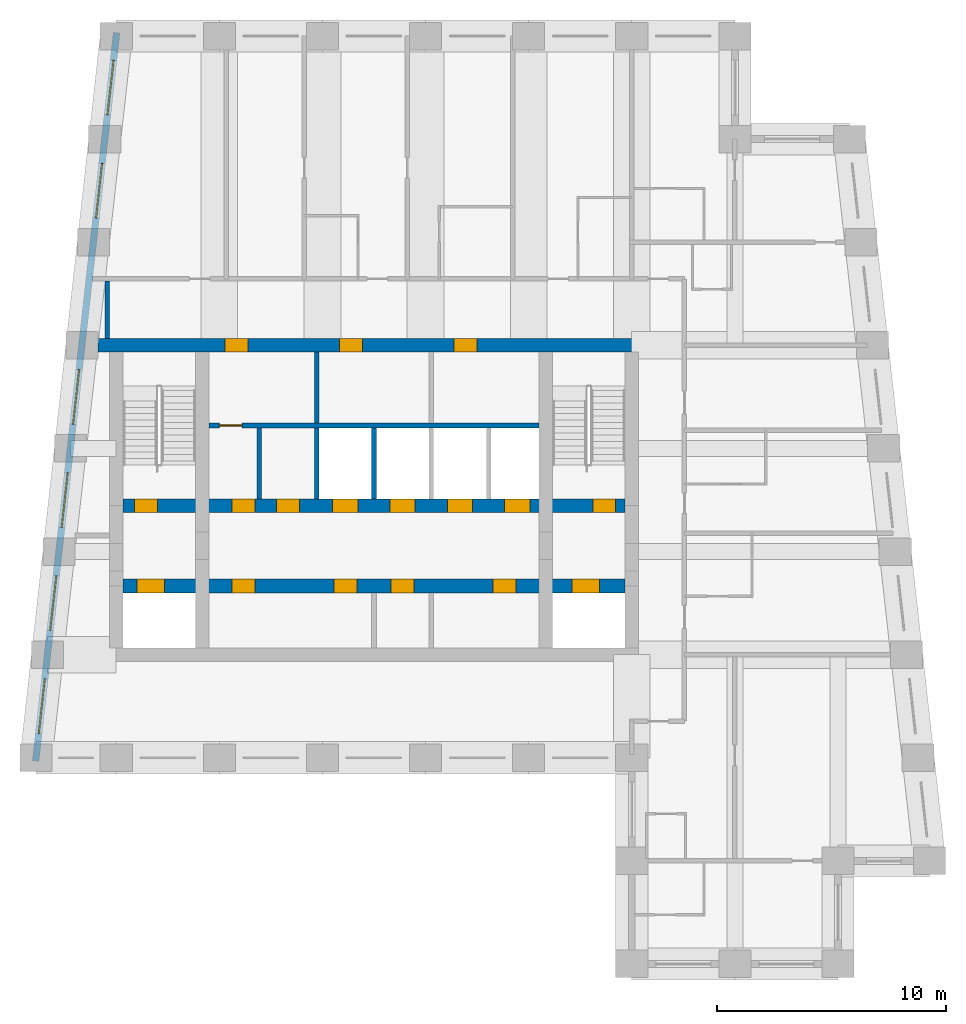
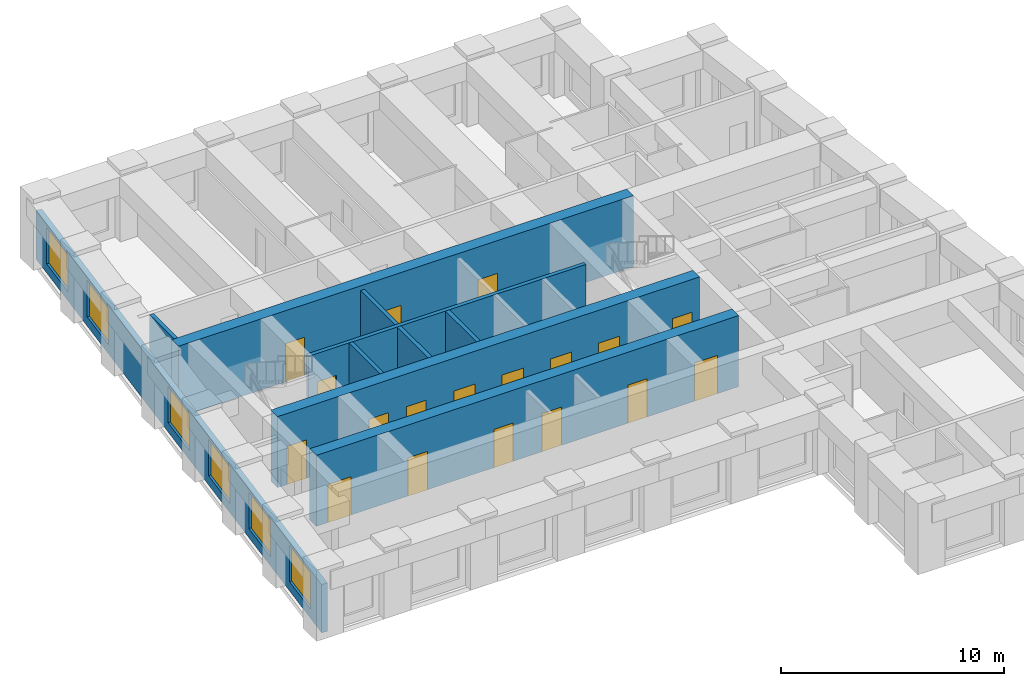
# One storey, part 3 of 7: 18 doors, 10 walls, 6 windows, 24 openings.
"""IFC4 building model written with IfcOpenShell, lengths in metres."""

from ifc_helpers import new_model, si_unit, direction, frame, frame_2d, origin, place, context, subcontext, project, spatial, rectangle, extrude, material, layer, layer_set, type_object, element, fill, save


model = new_model("IFC4")

# Units and contexts
model_context = context("Model", 3, precision=1e-05, world=origin(), true_north=direction((0.0, 1.0)))
body_context = subcontext(model_context, "Body", "Model", "MODEL_VIEW")
ifc_project = project(units=[si_unit("LENGTHUNIT", "METRE"), si_unit("AREAUNIT", "SQUARE_METRE"), si_unit("VOLUMEUNIT", "CUBIC_METRE"), si_unit("PLANEANGLEUNIT", "RADIAN"), si_unit("MASSUNIT", "GRAM", prefix="KILO")], contexts=[model_context])

# Site, building, storey
site_placement = place(None, origin())
site = spatial("IfcSite", under=ifc_project, at=site_placement, CompositionType="ELEMENT")
building_placement = place(site_placement, origin())
building = spatial("IfcBuilding", under=site, at=building_placement, Name="Kilele Tower Hotel", CompositionType="ELEMENT")
storey_placement = place(building_placement, frame((0.0, 0.0, 258.5)))
storey = spatial("IfcBuildingStorey", under=building, at=storey_placement, Name="L66", CompositionType="ELEMENT", Elevation=258.5)

# Wall, openings, doors
ifc_material_1 = material(Name="Concrete C60/75", Category="concrete")
ifc_layer_1 = layer(ifc_material_1, 0.60009765625)
ifc_layer_set_1 = layer_set([ifc_layer_1], Name="Concrete C60/75")
wall_type_1 = type_object("IfcWallType", Name="Core wall 600 C60/75", PredefinedType="SHEAR", material=ifc_layer_set_1)
wall_1_placement = place(storey_placement, frame((36.300048828125, 27.0, 0.0), z_axis=(0.0, 0.0, 1.0), x_axis=(-1.0, 0.0, 0.0)))
wall_1 = element("IfcWall", 1, at=wall_1_placement, inside=storey, type_object=wall_type_1, Name="Core wall N L66", PredefinedType="SHEAR", context=body_context, shape_type="SweptSolid", body=[
    extrude(rectangle(XDim=23.60009765625, YDim=0.60009765625, at=frame_2d((11.800048828125, 0.0))), origin(), (0.0, 0.0, 1.0), 3.89990234375),
])
opening_1_placement = place(wall_1_placement, frame((17.050048828125, 0.0, 0.0)))
opening_1 = element("IfcOpeningElement", 2, at=opening_1_placement, cuts=wall_1, Name="Opening D12", PredefinedType="OPENING", context=body_context, shape_type="SweptSolid", body=[
    extrude(rectangle(XDim=1.0, YDim=2.10009765625, at=frame_2d((0.5, 1.050048828125))), frame((0.0, 0.31005859375, 0.0), z_axis=(0.0, -1.0, 0.0), x_axis=(1.0, 0.0, 0.0)), (0.0, 0.0, 1.0), 0.6201171875),
])
opening_2_placement = place(wall_1_placement, frame((12.050048828125, 0.0, 0.0)))
opening_2 = element("IfcOpeningElement", 3, at=opening_2_placement, cuts=wall_1, Name="Opening D6", PredefinedType="OPENING", context=body_context, shape_type="SweptSolid", body=[
    extrude(rectangle(XDim=1.0, YDim=2.10009765625, at=frame_2d((0.5, 1.050048828125))), frame((0.0, 0.31005859375, 0.0), z_axis=(0.0, -1.0, 0.0), x_axis=(1.0, 0.0, 0.0)), (0.0, 0.0, 1.0), 0.6201171875),
])
opening_3_placement = place(wall_1_placement, frame((7.050048828125, 0.0, 0.0)))
opening_3 = element("IfcOpeningElement", 4, at=opening_3_placement, cuts=wall_1, Name="Opening D6", PredefinedType="OPENING", context=body_context, shape_type="SweptSolid", body=[
    extrude(rectangle(XDim=1.0, YDim=2.10009765625, at=frame_2d((0.5, 1.050048828125))), frame((0.0, 0.31005859375, 0.0), z_axis=(0.0, -1.0, 0.0), x_axis=(1.0, 0.0, 0.0)), (0.0, 0.0, 1.0), 0.6201171875),
])
ifc_material_2 = material(Name="Timber door leaf in hardwood frame", Category="wood")
door_type_1 = type_object("IfcDoorType", Name="Core lobby door 1000", OperationType="SINGLE_SWING_LEFT", PredefinedType="DOOR", material=ifc_material_2)
door_1_placement = place(opening_1_placement, origin())
door_1 = element("IfcDoor", 5, at=door_1_placement, inside=storey, type_object=door_type_1, Name="North lobby door L66", OperationType="SINGLE_SWING_RIGHT", OverallHeight=2.10009765625, OverallWidth=1.0, PredefinedType="DOOR", context=body_context, shape_type="SweptSolid", body=[
    extrude(rectangle(XDim=1.0, YDim=2.10009765625, at=frame_2d((0.5, 1.050048828125))), frame((0.0, 0.2998046875, 0.0), z_axis=(0.0, -1.0, 0.0), x_axis=(1.0, 0.0, 0.0)), (0.0, 0.0, 1.0), 0.599609375),
])
fill(opening_1, door_1)
ifc_material_3 = material(Name="Timber door leaf in hardwood frame", Category="wood")
door_type_2 = type_object("IfcDoorType", Name="Riser door 1000", OperationType="SINGLE_SWING_LEFT", PredefinedType="DOOR", material=ifc_material_3)
door_2_placement = place(opening_2_placement, origin())
door_2 = element("IfcDoor", 6, at=door_2_placement, inside=storey, type_object=door_type_2, Name="Housekeeping store door L66", OperationType="SINGLE_SWING_RIGHT", OverallHeight=2.10009765625, OverallWidth=1.0, PredefinedType="DOOR", context=body_context, shape_type="SweptSolid", body=[
    extrude(rectangle(XDim=1.0, YDim=2.10009765625, at=frame_2d((0.5, 1.050048828125))), frame((0.0, 0.2998046875, 0.0), z_axis=(0.0, -1.0, 0.0), x_axis=(1.0, 0.0, 0.0)), (0.0, 0.0, 1.0), 0.599609375),
])
fill(opening_2, door_2)
door_3_placement = place(opening_3_placement, origin())
door_3 = element("IfcDoor", 7, at=door_3_placement, inside=storey, type_object=door_type_2, Name="Electrical riser door L66", OperationType="SINGLE_SWING_RIGHT", OverallHeight=2.10009765625, OverallWidth=1.0, PredefinedType="DOOR", context=body_context, shape_type="SweptSolid", body=[
    extrude(rectangle(XDim=1.0, YDim=2.10009765625, at=frame_2d((0.5, 1.050048828125))), frame((0.0, 0.2998046875, 0.0), z_axis=(0.0, -1.0, 0.0), x_axis=(1.0, 0.0, 0.0)), (0.0, 0.0, 1.0), 0.599609375),
])
fill(opening_3, door_3)

wall_2_placement = place(storey_placement, frame((13.800048828125, 16.5, 0.0), z_axis=(0.0, 0.0, 1.0), x_axis=(1.0, 0.0, 0.0)))
wall_2 = element("IfcWall", 8, at=wall_2_placement, inside=storey, type_object=wall_type_1, Name="Core wall LS L66", PredefinedType="SHEAR", context=body_context, shape_type="SweptSolid", body=[
    extrude(rectangle(XDim=21.89990234375, YDim=0.60009765625, at=frame_2d((10.949951171875, 0.0))), origin(), (0.0, 0.0, 1.0), 3.89990234375),
])
opening_4_placement = place(wall_2_placement, frame((5.75, 0.0, 0.0), z_axis=(0.0, 0.0, 1.0), x_axis=(-1.0, 0.0, 0.0)))
opening_4 = element("IfcOpeningElement", 9, at=opening_4_placement, cuts=wall_2, Name="Opening D11", PredefinedType="OPENING", context=body_context, shape_type="SweptSolid", body=[
    extrude(rectangle(XDim=1.0, YDim=2.10009765625, at=frame_2d((0.5, 1.050048828125))), frame((0.0, 0.31005859375, 0.0), z_axis=(0.0, -1.0, 0.0), x_axis=(1.0, 0.0, 0.0)), (0.0, 0.0, 1.0), 0.6201171875),
])
opening_5_placement = place(wall_2_placement, frame((10.199951171875, 0.0, 0.0), z_axis=(0.0, 0.0, 1.0), x_axis=(-1.0, 0.0, 0.0)))
opening_5 = element("IfcOpeningElement", 10, at=opening_5_placement, cuts=wall_2, Name="Opening D11", PredefinedType="OPENING", context=body_context, shape_type="SweptSolid", body=[
    extrude(rectangle(XDim=1.0, YDim=2.10009765625, at=frame_2d((0.5, 1.050048828125))), frame((0.0, 0.31005859375, 0.0), z_axis=(0.0, -1.0, 0.0), x_axis=(1.0, 0.0, 0.0)), (0.0, 0.0, 1.0), 0.6201171875),
])
opening_6_placement = place(wall_2_placement, frame((12.699951171875, 0.0, 0.0), z_axis=(0.0, 0.0, 1.0), x_axis=(-1.0, 0.0, 0.0)))
opening_6 = element("IfcOpeningElement", 11, at=opening_6_placement, cuts=wall_2, Name="Opening D11", PredefinedType="OPENING", context=body_context, shape_type="SweptSolid", body=[
    extrude(rectangle(XDim=1.0, YDim=2.10009765625, at=frame_2d((0.5, 1.050048828125))), frame((0.0, 0.31005859375, 0.0), z_axis=(0.0, -1.0, 0.0), x_axis=(1.0, 0.0, 0.0)), (0.0, 0.0, 1.0), 0.6201171875),
])
opening_7_placement = place(wall_2_placement, frame((17.14990234375, 0.0, 0.0), z_axis=(0.0, 0.0, 1.0), x_axis=(-1.0, 0.0, 0.0)))
opening_7 = element("IfcOpeningElement", 12, at=opening_7_placement, cuts=wall_2, Name="Opening D11", PredefinedType="OPENING", context=body_context, shape_type="SweptSolid", body=[
    extrude(rectangle(XDim=1.0, YDim=2.10009765625, at=frame_2d((0.5, 1.050048828125))), frame((0.0, 0.31005859375, 0.0), z_axis=(0.0, -1.0, 0.0), x_axis=(1.0, 0.0, 0.0)), (0.0, 0.0, 1.0), 0.6201171875),
])
opening_8_placement = place(wall_2_placement, frame((0.60009765625, 0.0, 0.0)))
opening_8 = element("IfcOpeningElement", 13, at=opening_8_placement, cuts=wall_2, Name="Opening LD2", PredefinedType="OPENING", context=body_context, shape_type="SweptSolid", body=[
    extrude(rectangle(XDim=1.199951171875, YDim=2.10009765625, at=frame_2d((0.60009765625, 1.050048828125))), frame((0.0, 0.31005859375, 0.0), z_axis=(0.0, -1.0, 0.0), x_axis=(1.0, 0.0, 0.0)), (0.0, 0.0, 1.0), 0.6201171875),
])
opening_9_placement = place(wall_2_placement, frame((19.60009765625, 0.0, 0.0)))
opening_9 = element("IfcOpeningElement", 14, at=opening_9_placement, cuts=wall_2, Name="Opening LD2", PredefinedType="OPENING", context=body_context, shape_type="SweptSolid", body=[
    extrude(rectangle(XDim=1.199951171875, YDim=2.10009765625, at=frame_2d((0.60009765625, 1.050048828125))), frame((0.0, 0.31005859375, 0.0), z_axis=(0.0, -1.0, 0.0), x_axis=(1.0, 0.0, 0.0)), (0.0, 0.0, 1.0), 0.6201171875),
])
ifc_material_4 = material(Name="Timber door leaf in hardwood frame", Category="wood")
door_type_3 = type_object("IfcDoorType", Name="Core store door 1000", OperationType="SINGLE_SWING_LEFT", PredefinedType="DOOR", material=ifc_material_4)
door_4_placement = place(opening_4_placement, origin())
door_4 = element("IfcDoor", 15, at=door_4_placement, inside=storey, type_object=door_type_3, Name="Core room door L1 L66", OperationType="SINGLE_SWING_RIGHT", OverallHeight=2.10009765625, OverallWidth=1.0, PredefinedType="DOOR", context=body_context, shape_type="SweptSolid", body=[
    extrude(rectangle(XDim=1.0, YDim=2.10009765625, at=frame_2d((0.5, 1.050048828125))), frame((0.0, 0.2998046875, 0.0), z_axis=(0.0, -1.0, 0.0), x_axis=(1.0, 0.0, 0.0)), (0.0, 0.0, 1.0), 0.599609375),
])
fill(opening_4, door_4)
door_5_placement = place(opening_5_placement, origin())
door_5 = element("IfcDoor", 16, at=door_5_placement, inside=storey, type_object=door_type_3, Name="Core room door L3 L66", OperationType="SINGLE_SWING_LEFT", OverallHeight=2.10009765625, OverallWidth=1.0, PredefinedType="DOOR", context=body_context, shape_type="SweptSolid", body=[
    extrude(rectangle(XDim=1.0, YDim=2.10009765625, at=frame_2d((0.5, 1.050048828125))), frame((0.0, 0.2998046875, 0.0), z_axis=(0.0, -1.0, 0.0), x_axis=(1.0, 0.0, 0.0)), (0.0, 0.0, 1.0), 0.599609375),
])
fill(opening_5, door_5)
door_6_placement = place(opening_6_placement, origin())
door_6 = element("IfcDoor", 17, at=door_6_placement, inside=storey, type_object=door_type_3, Name="Core room door M1 L66", OperationType="SINGLE_SWING_LEFT", OverallHeight=2.10009765625, OverallWidth=1.0, PredefinedType="DOOR", context=body_context, shape_type="SweptSolid", body=[
    extrude(rectangle(XDim=1.0, YDim=2.10009765625, at=frame_2d((0.5, 1.050048828125))), frame((0.0, 0.2998046875, 0.0), z_axis=(0.0, -1.0, 0.0), x_axis=(1.0, 0.0, 0.0)), (0.0, 0.0, 1.0), 0.599609375),
])
fill(opening_6, door_6)
door_7_placement = place(opening_7_placement, origin())
door_7 = element("IfcDoor", 18, at=door_7_placement, inside=storey, type_object=door_type_3, Name="Core room door M3 L66", OperationType="SINGLE_SWING_LEFT", OverallHeight=2.10009765625, OverallWidth=1.0, PredefinedType="DOOR", context=body_context, shape_type="SweptSolid", body=[
    extrude(rectangle(XDim=1.0, YDim=2.10009765625, at=frame_2d((0.5, 1.050048828125))), frame((0.0, 0.2998046875, 0.0), z_axis=(0.0, -1.0, 0.0), x_axis=(1.0, 0.0, 0.0)), (0.0, 0.0, 1.0), 0.599609375),
])
fill(opening_7, door_7)
ifc_material_5 = material(Name="Steel lift landing door", Category="steel")
door_type_4 = type_object("IfcDoorType", Name="Firefighting lift landing door 1200", OperationType="SLIDING_TO_LEFT", PredefinedType="DOOR", material=ifc_material_5)
door_8_placement = place(opening_8_placement, origin())
door_8 = element("IfcDoor", 19, at=door_8_placement, inside=storey, type_object=door_type_4, Name="Landing door FFW L66", OperationType="SLIDING_TO_LEFT", OverallHeight=2.10009765625, OverallWidth=1.199951171875, PredefinedType="DOOR", context=body_context, shape_type="SweptSolid", body=[
    extrude(rectangle(XDim=1.199951171875, YDim=2.10009765625, at=frame_2d((0.60009765625, 1.050048828125))), frame((0.0, 0.2998046875, 0.0), z_axis=(0.0, -1.0, 0.0), x_axis=(1.0, 0.0, 0.0)), (0.0, 0.0, 1.0), 0.599609375),
])
fill(opening_8, door_8)
door_9_placement = place(opening_9_placement, origin())
door_9 = element("IfcDoor", 20, at=door_9_placement, inside=storey, type_object=door_type_4, Name="Landing door FFE L66", OperationType="SLIDING_TO_LEFT", OverallHeight=2.10009765625, OverallWidth=1.199951171875, PredefinedType="DOOR", context=body_context, shape_type="SweptSolid", body=[
    extrude(rectangle(XDim=1.199951171875, YDim=2.10009765625, at=frame_2d((0.60009765625, 1.050048828125))), frame((0.0, 0.2998046875, 0.0), z_axis=(0.0, -1.0, 0.0), x_axis=(1.0, 0.0, 0.0)), (0.0, 0.0, 1.0), 0.599609375),
])
fill(opening_9, door_9)

wall_3_placement = place(storey_placement, frame((13.800048828125, 20.0, 0.0), z_axis=(0.0, 0.0, 1.0), x_axis=(1.0, 0.0, 0.0)))
wall_3 = element("IfcWall", 21, at=wall_3_placement, inside=storey, type_object=wall_type_1, Name="Core wall LN L66", PredefinedType="SHEAR", context=body_context, shape_type="SweptSolid", body=[
    extrude(rectangle(XDim=21.89990234375, YDim=0.60009765625, at=frame_2d((10.949951171875, 0.0))), origin(), (0.0, 0.0, 1.0), 3.89990234375),
])
opening_10_placement = place(wall_3_placement, frame((0.5, 0.0, 0.0)))
opening_10 = element("IfcOpeningElement", 22, at=opening_10_placement, cuts=wall_3, Name="Opening D5", PredefinedType="OPENING", context=body_context, shape_type="SweptSolid", body=[
    extrude(rectangle(XDim=1.0, YDim=2.10009765625, at=frame_2d((0.5, 1.050048828125))), frame((0.0, 0.31005859375, 0.0), z_axis=(0.0, -1.0, 0.0), x_axis=(1.0, 0.0, 0.0)), (0.0, 0.0, 1.0), 0.6201171875),
])
opening_11_placement = place(wall_3_placement, frame((20.5, 0.0, 0.0)))
opening_11 = element("IfcOpeningElement", 23, at=opening_11_placement, cuts=wall_3, Name="Opening D5", PredefinedType="OPENING", context=body_context, shape_type="SweptSolid", body=[
    extrude(rectangle(XDim=1.0, YDim=2.10009765625, at=frame_2d((0.5, 1.050048828125))), frame((0.0, 0.31005859375, 0.0), z_axis=(0.0, -1.0, 0.0), x_axis=(1.0, 0.0, 0.0)), (0.0, 0.0, 1.0), 0.6201171875),
])
opening_12_placement = place(wall_3_placement, frame((9.14990234375, 0.0, 0.0)))
opening_12 = element("IfcOpeningElement", 24, at=opening_12_placement, cuts=wall_3, Name="Opening LD1", PredefinedType="OPENING", context=body_context, shape_type="SweptSolid", body=[
    extrude(rectangle(XDim=1.10009765625, YDim=2.10009765625, at=frame_2d((0.550048828125, 1.050048828125))), frame((0.0, 0.31005859375, 0.0), z_axis=(0.0, -1.0, 0.0), x_axis=(1.0, 0.0, 0.0)), (0.0, 0.0, 1.0), 0.6201171875),
])
opening_13_placement = place(wall_3_placement, frame((11.64990234375, 0.0, 0.0)))
opening_13 = element("IfcOpeningElement", 25, at=opening_13_placement, cuts=wall_3, Name="Opening LD1", PredefinedType="OPENING", context=body_context, shape_type="SweptSolid", body=[
    extrude(rectangle(XDim=1.10009765625, YDim=2.10009765625, at=frame_2d((0.550048828125, 1.050048828125))), frame((0.0, 0.31005859375, 0.0), z_axis=(0.0, -1.0, 0.0), x_axis=(1.0, 0.0, 0.0)), (0.0, 0.0, 1.0), 0.6201171875),
])
opening_14_placement = place(wall_3_placement, frame((14.14990234375, 0.0, 0.0)))
opening_14 = element("IfcOpeningElement", 26, at=opening_14_placement, cuts=wall_3, Name="Opening LD1", PredefinedType="OPENING", context=body_context, shape_type="SweptSolid", body=[
    extrude(rectangle(XDim=1.10009765625, YDim=2.10009765625, at=frame_2d((0.550048828125, 1.050048828125))), frame((0.0, 0.31005859375, 0.0), z_axis=(0.0, -1.0, 0.0), x_axis=(1.0, 0.0, 0.0)), (0.0, 0.0, 1.0), 0.6201171875),
])
opening_15_placement = place(wall_3_placement, frame((16.64990234375, 0.0, 0.0)))
opening_15 = element("IfcOpeningElement", 27, at=opening_15_placement, cuts=wall_3, Name="Opening LD1", PredefinedType="OPENING", context=body_context, shape_type="SweptSolid", body=[
    extrude(rectangle(XDim=1.10009765625, YDim=2.10009765625, at=frame_2d((0.550048828125, 1.050048828125))), frame((0.0, 0.31005859375, 0.0), z_axis=(0.0, -1.0, 0.0), x_axis=(1.0, 0.0, 0.0)), (0.0, 0.0, 1.0), 0.6201171875),
])
opening_16_placement = place(wall_3_placement, frame((5.75, 0.0, 0.0), z_axis=(0.0, 0.0, 1.0), x_axis=(-1.0, 0.0, 0.0)))
opening_16 = element("IfcOpeningElement", 28, at=opening_16_placement, cuts=wall_3, Name="Opening D12", PredefinedType="OPENING", context=body_context, shape_type="SweptSolid", body=[
    extrude(rectangle(XDim=1.0, YDim=2.10009765625, at=frame_2d((0.5, 1.050048828125))), frame((0.0, 0.31005859375, 0.0), z_axis=(0.0, -1.0, 0.0), x_axis=(1.0, 0.0, 0.0)), (0.0, 0.0, 1.0), 0.6201171875),
])
opening_17_placement = place(wall_3_placement, frame((6.699951171875, 0.0, 0.0)))
opening_17 = element("IfcOpeningElement", 29, at=opening_17_placement, cuts=wall_3, Name="Opening D11", PredefinedType="OPENING", context=body_context, shape_type="SweptSolid", body=[
    extrude(rectangle(XDim=1.0, YDim=2.10009765625, at=frame_2d((0.5, 1.050048828125))), frame((0.0, 0.31005859375, 0.0), z_axis=(0.0, -1.0, 0.0), x_axis=(1.0, 0.0, 0.0)), (0.0, 0.0, 1.0), 0.6201171875),
])
door_10_placement = place(opening_16_placement, origin())
door_10 = element("IfcDoor", 30, at=door_10_placement, inside=storey, type_object=door_type_1, Name="Core passage door L66", OperationType="SINGLE_SWING_RIGHT", OverallHeight=2.10009765625, OverallWidth=1.0, PredefinedType="DOOR", context=body_context, shape_type="SweptSolid", body=[
    extrude(rectangle(XDim=1.0, YDim=2.10009765625, at=frame_2d((0.5, 1.050048828125))), frame((0.0, 0.2998046875, 0.0), z_axis=(0.0, -1.0, 0.0), x_axis=(1.0, 0.0, 0.0)), (0.0, 0.0, 1.0), 0.599609375),
])
fill(opening_16, door_10)
door_11_placement = place(opening_17_placement, origin())
door_11 = element("IfcDoor", 31, at=door_11_placement, inside=storey, type_object=door_type_3, Name="Core room door S2 L66", OperationType="SINGLE_SWING_LEFT", OverallHeight=2.10009765625, OverallWidth=1.0, PredefinedType="DOOR", context=body_context, shape_type="SweptSolid", body=[
    extrude(rectangle(XDim=1.0, YDim=2.10009765625, at=frame_2d((0.5, 1.050048828125))), frame((0.0, 0.2998046875, 0.0), z_axis=(0.0, -1.0, 0.0), x_axis=(1.0, 0.0, 0.0)), (0.0, 0.0, 1.0), 0.599609375),
])
fill(opening_17, door_11)
ifc_material_6 = material(Name="Steel lift landing door", Category="steel")
door_type_5 = type_object("IfcDoorType", Name="Lift landing door 1100", OperationType="SLIDING_TO_LEFT", PredefinedType="DOOR", material=ifc_material_6)
door_12_placement = place(opening_12_placement, origin())
door_12 = element("IfcDoor", 32, at=door_12_placement, inside=storey, type_object=door_type_5, Name="Landing door H1 L66", OperationType="SLIDING_TO_LEFT", OverallHeight=2.10009765625, OverallWidth=1.10009765625, PredefinedType="DOOR", context=body_context, shape_type="SweptSolid", body=[
    extrude(rectangle(XDim=1.10009765625, YDim=2.10009765625, at=frame_2d((0.550048828125, 1.050048828125))), frame((0.0, 0.2998046875, 0.0), z_axis=(0.0, -1.0, 0.0), x_axis=(1.0, 0.0, 0.0)), (0.0, 0.0, 1.0), 0.599609375),
])
fill(opening_12, door_12)
door_13_placement = place(opening_13_placement, origin())
door_13 = element("IfcDoor", 33, at=door_13_placement, inside=storey, type_object=door_type_5, Name="Landing door H2 L66", OperationType="SLIDING_TO_LEFT", OverallHeight=2.10009765625, OverallWidth=1.10009765625, PredefinedType="DOOR", context=body_context, shape_type="SweptSolid", body=[
    extrude(rectangle(XDim=1.10009765625, YDim=2.10009765625, at=frame_2d((0.550048828125, 1.050048828125))), frame((0.0, 0.2998046875, 0.0), z_axis=(0.0, -1.0, 0.0), x_axis=(1.0, 0.0, 0.0)), (0.0, 0.0, 1.0), 0.599609375),
])
fill(opening_13, door_13)
door_14_placement = place(opening_14_placement, origin())
door_14 = element("IfcDoor", 34, at=door_14_placement, inside=storey, type_object=door_type_5, Name="Landing door H3 L66", OperationType="SLIDING_TO_LEFT", OverallHeight=2.10009765625, OverallWidth=1.10009765625, PredefinedType="DOOR", context=body_context, shape_type="SweptSolid", body=[
    extrude(rectangle(XDim=1.10009765625, YDim=2.10009765625, at=frame_2d((0.550048828125, 1.050048828125))), frame((0.0, 0.2998046875, 0.0), z_axis=(0.0, -1.0, 0.0), x_axis=(1.0, 0.0, 0.0)), (0.0, 0.0, 1.0), 0.599609375),
])
fill(opening_14, door_14)
door_15_placement = place(opening_15_placement, origin())
door_15 = element("IfcDoor", 35, at=door_15_placement, inside=storey, type_object=door_type_5, Name="Landing door G1 L66", OperationType="SLIDING_TO_LEFT", OverallHeight=2.10009765625, OverallWidth=1.10009765625, PredefinedType="DOOR", context=body_context, shape_type="SweptSolid", body=[
    extrude(rectangle(XDim=1.10009765625, YDim=2.10009765625, at=frame_2d((0.550048828125, 1.050048828125))), frame((0.0, 0.2998046875, 0.0), z_axis=(0.0, -1.0, 0.0), x_axis=(1.0, 0.0, 0.0)), (0.0, 0.0, 1.0), 0.599609375),
])
fill(opening_15, door_15)
ifc_material_7 = material(Name="Timber door leaf in hardwood frame", Category="wood")
door_type_6 = type_object("IfcDoorType", Name="Stair door 1000", OperationType="SINGLE_SWING_LEFT", PredefinedType="DOOR", material=ifc_material_7)
door_16_placement = place(opening_10_placement, origin())
door_16 = element("IfcDoor", 36, at=door_16_placement, inside=storey, type_object=door_type_6, Name="Stair 1 door L66", OperationType="SINGLE_SWING_LEFT", OverallHeight=2.10009765625, OverallWidth=1.0, PredefinedType="DOOR", context=body_context, shape_type="SweptSolid", body=[
    extrude(rectangle(XDim=1.0, YDim=2.10009765625, at=frame_2d((0.5, 1.050048828125))), frame((0.0, 0.2998046875, 0.0), z_axis=(0.0, -1.0, 0.0), x_axis=(1.0, 0.0, 0.0)), (0.0, 0.0, 1.0), 0.599609375),
])
fill(opening_10, door_16)
door_17_placement = place(opening_11_placement, origin())
door_17 = element("IfcDoor", 37, at=door_17_placement, inside=storey, type_object=door_type_6, Name="Stair 2 door L66", OperationType="SINGLE_SWING_RIGHT", OverallHeight=2.10009765625, OverallWidth=1.0, PredefinedType="DOOR", context=body_context, shape_type="SweptSolid", body=[
    extrude(rectangle(XDim=1.0, YDim=2.10009765625, at=frame_2d((0.5, 1.050048828125))), frame((0.0, 0.2998046875, 0.0), z_axis=(0.0, -1.0, 0.0), x_axis=(1.0, 0.0, 0.0)), (0.0, 0.0, 1.0), 0.599609375),
])
fill(opening_11, door_17)

# Wall
ifc_material_8 = material(Name="Blockwork, plastered both sides", Category="masonry")
ifc_layer_2 = layer(ifc_material_8, 0.199951171875)
ifc_layer_set_2 = layer_set([ifc_layer_2], Name="Blockwork, plastered both sides")
wall_type_2 = type_object("IfcWallType", Name="Partition wall 200", PredefinedType="PARTITIONING", material=ifc_layer_set_2)
wall_4_placement = place(storey_placement, frame((13.10009765625, 27.300048828125, 0.0), z_axis=(0.0, 0.0, 1.0), x_axis=(0.0, 1.0, 0.0)))
element("IfcWall", 38, at=wall_4_placement, inside=storey, type_object=wall_type_2, Name="Partition wall 200 L66", PredefinedType="PARTITIONING", context=body_context, shape_type="SweptSolid", body=[
    extrude(rectangle(XDim=2.5, YDim=0.199951171875, at=frame_2d((1.25, 0.0))), origin(), (0.0, 0.0, 1.0), 3.64990234375),
])

# Wall, openings, windows
ifc_material_9 = material(Name="Concrete C40/50 precast", Category="concrete")
ifc_layer_3 = layer(ifc_material_9, 0.260009765625, Name="Precast backing", Category="LoadBearing")
ifc_material_10 = material(Name="Reconstituted stone finish", Category="masonry")
ifc_layer_4 = layer(ifc_material_10, 0.0400390625, Name="Face mix", Category="Finish")
ifc_layer_set_3 = layer_set([ifc_layer_3, ifc_layer_4], Name="Precast concrete C40/50, reconstituted stone finish")
wall_type_3 = type_object("IfcWallType", Name="Precast stone facade wall 300", PredefinedType="STANDARD", material=ifc_layer_set_3)
wall_5_placement = place(storey_placement, frame((13.5166015625, 40.649169921875, 0.0), z_axis=(0.0, 0.0, 1.0), x_axis=(-0.110433201132, -0.993883548555, 0.0)))
wall_5 = element("IfcWall", 39, at=wall_5_placement, inside=storey, type_object=wall_type_3, Name="Facade wall L66 edge 10", PredefinedType="STANDARD", context=body_context, shape_type="SweptSolid", body=[
    extrude(rectangle(XDim=31.994140625, YDim=0.300048828125, at=frame_2d((15.9970703125, 0.0))), origin(), (0.0, 0.0, 1.0), 2.64990234375),
])
opening_18_placement = place(wall_5_placement, frame((1.214111328125, 0.0, 0.5)))
opening_18 = element("IfcOpeningElement", 40, at=opening_18_placement, cuts=wall_5, Name="Opening W4", PredefinedType="OPENING", context=body_context, shape_type="SweptSolid", body=[
    extrude(rectangle(XDim=2.39990234375, YDim=2.0, at=frame_2d((1.199951171875, 1.0))), frame((0.0, 0.159912109375, 0.0), z_axis=(0.0, -1.0, 0.0), x_axis=(1.0, 0.0, 0.0)), (0.0, 0.0, 1.0), 0.320068359375),
])
opening_19_placement = place(wall_5_placement, frame((5.741943359375, 0.0, 0.5)))
opening_19 = element("IfcOpeningElement", 41, at=opening_19_placement, cuts=wall_5, Name="Opening W4", PredefinedType="OPENING", context=body_context, shape_type="SweptSolid", body=[
    extrude(rectangle(XDim=2.39990234375, YDim=2.0, at=frame_2d((1.199951171875, 1.0))), frame((0.0, 0.159912109375, 0.0), z_axis=(0.0, -1.0, 0.0), x_axis=(1.0, 0.0, 0.0)), (0.0, 0.0, 1.0), 0.320068359375),
])
opening_20_placement = place(wall_5_placement, frame((14.797119140625, 0.0, 0.5)))
opening_20 = element("IfcOpeningElement", 42, at=opening_20_placement, cuts=wall_5, Name="Opening W4", PredefinedType="OPENING", context=body_context, shape_type="SweptSolid", body=[
    extrude(rectangle(XDim=2.39990234375, YDim=2.0, at=frame_2d((1.199951171875, 1.0))), frame((0.0, 0.159912109375, 0.0), z_axis=(0.0, -1.0, 0.0), x_axis=(1.0, 0.0, 0.0)), (0.0, 0.0, 1.0), 0.320068359375),
])
opening_21_placement = place(wall_5_placement, frame((19.324951171875, 0.0, 0.5)))
opening_21 = element("IfcOpeningElement", 43, at=opening_21_placement, cuts=wall_5, Name="Opening W4", PredefinedType="OPENING", context=body_context, shape_type="SweptSolid", body=[
    extrude(rectangle(XDim=2.39990234375, YDim=2.0, at=frame_2d((1.199951171875, 1.0))), frame((0.0, 0.159912109375, 0.0), z_axis=(0.0, -1.0, 0.0), x_axis=(1.0, 0.0, 0.0)), (0.0, 0.0, 1.0), 0.320068359375),
])
opening_22_placement = place(wall_5_placement, frame((23.85205078125, 0.0, 0.5)))
opening_22 = element("IfcOpeningElement", 44, at=opening_22_placement, cuts=wall_5, Name="Opening W4", PredefinedType="OPENING", context=body_context, shape_type="SweptSolid", body=[
    extrude(rectangle(XDim=2.39990234375, YDim=2.0, at=frame_2d((1.199951171875, 1.0))), frame((0.0, 0.159912109375, 0.0), z_axis=(0.0, -1.0, 0.0), x_axis=(1.0, 0.0, 0.0)), (0.0, 0.0, 1.0), 0.320068359375),
])
opening_23_placement = place(wall_5_placement, frame((28.3798828125, 0.0, 0.5)))
opening_23 = element("IfcOpeningElement", 45, at=opening_23_placement, cuts=wall_5, Name="Opening W4", PredefinedType="OPENING", context=body_context, shape_type="SweptSolid", body=[
    extrude(rectangle(XDim=2.39990234375, YDim=2.0, at=frame_2d((1.199951171875, 1.0))), frame((0.0, 0.159912109375, 0.0), z_axis=(0.0, -1.0, 0.0), x_axis=(1.0, 0.0, 0.0)), (0.0, 0.0, 1.0), 0.320068359375),
])
ifc_material_11 = material(Name="Aluminium frame, clear double glazing", Category="aluminium")
window_type = type_object("IfcWindowType", Name="Window W4 2400 x 2000", PartitioningType="SINGLE_PANEL", PredefinedType="WINDOW", material=ifc_material_11)
window_1_placement = place(opening_18_placement, origin())
window_1 = element("IfcWindow", 46, at=window_1_placement, inside=storey, type_object=window_type, Name="Window L66", OverallHeight=2.0, OverallWidth=2.39990234375, PartitioningType="SINGLE_PANEL", PredefinedType="WINDOW", context=body_context, shape_type="SweptSolid", body=[
    extrude(rectangle(XDim=2.39990234375, YDim=2.0, at=frame_2d((1.199951171875, 1.0))), frame((0.0, 0.030029296875, 0.0), z_axis=(0.0, -1.0, 0.0), x_axis=(1.0, 0.0, 0.0)), (0.0, 0.0, 1.0), 0.06005859375),
])
fill(opening_18, window_1)
window_2_placement = place(opening_19_placement, origin())
window_2 = element("IfcWindow", 47, at=window_2_placement, inside=storey, type_object=window_type, Name="Window L66", OverallHeight=2.0, OverallWidth=2.39990234375, PartitioningType="SINGLE_PANEL", PredefinedType="WINDOW", context=body_context, shape_type="SweptSolid", body=[
    extrude(rectangle(XDim=2.39990234375, YDim=2.0, at=frame_2d((1.199951171875, 1.0))), frame((0.0, 0.030029296875, 0.0), z_axis=(0.0, -1.0, 0.0), x_axis=(1.0, 0.0, 0.0)), (0.0, 0.0, 1.0), 0.06005859375),
])
fill(opening_19, window_2)
window_3_placement = place(opening_20_placement, origin())
window_3 = element("IfcWindow", 48, at=window_3_placement, inside=storey, type_object=window_type, Name="Window L66", OverallHeight=2.0, OverallWidth=2.39990234375, PartitioningType="SINGLE_PANEL", PredefinedType="WINDOW", context=body_context, shape_type="SweptSolid", body=[
    extrude(rectangle(XDim=2.39990234375, YDim=2.0, at=frame_2d((1.199951171875, 1.0))), frame((0.0, 0.030029296875, 0.0), z_axis=(0.0, -1.0, 0.0), x_axis=(1.0, 0.0, 0.0)), (0.0, 0.0, 1.0), 0.06005859375),
])
fill(opening_20, window_3)
window_4_placement = place(opening_21_placement, origin())
window_4 = element("IfcWindow", 49, at=window_4_placement, inside=storey, type_object=window_type, Name="Window L66", OverallHeight=2.0, OverallWidth=2.39990234375, PartitioningType="SINGLE_PANEL", PredefinedType="WINDOW", context=body_context, shape_type="SweptSolid", body=[
    extrude(rectangle(XDim=2.39990234375, YDim=2.0, at=frame_2d((1.199951171875, 1.0))), frame((0.0, 0.030029296875, 0.0), z_axis=(0.0, -1.0, 0.0), x_axis=(1.0, 0.0, 0.0)), (0.0, 0.0, 1.0), 0.06005859375),
])
fill(opening_21, window_4)
window_5_placement = place(opening_22_placement, origin())
window_5 = element("IfcWindow", 50, at=window_5_placement, inside=storey, type_object=window_type, Name="Window L66", OverallHeight=2.0, OverallWidth=2.39990234375, PartitioningType="SINGLE_PANEL", PredefinedType="WINDOW", context=body_context, shape_type="SweptSolid", body=[
    extrude(rectangle(XDim=2.39990234375, YDim=2.0, at=frame_2d((1.199951171875, 1.0))), frame((0.0, 0.030029296875, 0.0), z_axis=(0.0, -1.0, 0.0), x_axis=(1.0, 0.0, 0.0)), (0.0, 0.0, 1.0), 0.06005859375),
])
fill(opening_22, window_5)
window_6_placement = place(opening_23_placement, origin())
window_6 = element("IfcWindow", 51, at=window_6_placement, inside=storey, type_object=window_type, Name="Window L66", OverallHeight=2.0, OverallWidth=2.39990234375, PartitioningType="SINGLE_PANEL", PredefinedType="WINDOW", context=body_context, shape_type="SweptSolid", body=[
    extrude(rectangle(XDim=2.39990234375, YDim=2.0, at=frame_2d((1.199951171875, 1.0))), frame((0.0, 0.030029296875, 0.0), z_axis=(0.0, -1.0, 0.0), x_axis=(1.0, 0.0, 0.0)), (0.0, 0.0, 1.0), 0.06005859375),
])
fill(opening_23, window_6)

# Walls
ifc_material_12 = material(Name="Blockwork, fire-rated", Category="masonry")
ifc_layer_5 = layer(ifc_material_12, 0.199951171875)
ifc_layer_set_4 = layer_set([ifc_layer_5], Name="Blockwork, fire-rated")
wall_type_4 = type_object("IfcWallType", Name="Shaft wall 200", PredefinedType="PARTITIONING", material=ifc_layer_set_4)
for number, where, z_axis, x_axis, name in (
    (52, (19.75, 20.300048828125, 0.0), (0.0, 0.0, 1.0), (0.0, 1.0, 0.0), "Shaft wall 200 L66"),
    (53, (22.25, 20.300048828125, 0.0), (0.0, 0.0, 1.0), (0.0, 1.0, 0.0), "Shaft wall 200 L66"),
    (54, (24.75, 20.300048828125, 0.0), (0.0, 0.0, 1.0), (0.0, 1.0, 0.0), "Shaft wall 200 L66"),
):
    element("IfcWall", number, at=place(storey_placement, frame(where, z_axis=z_axis, x_axis=x_axis)), inside=storey, type_object=wall_type_4, Name=name, PredefinedType="PARTITIONING", context=body_context, shape_type="SweptSolid", body=[
        extrude(rectangle(XDim=3.099853515625, YDim=0.199951171875, at=frame_2d((1.5498046875, 0.0))), origin(), (0.0, 0.0, 1.0), 3.64990234375),
    ])

# Wall, opening, door
wall_6_placement = place(storey_placement, frame((17.550048828125, 23.5, 0.0), z_axis=(0.0, 0.0, 1.0), x_axis=(1.0, 0.0, 0.0)))
wall_6 = element("IfcWall", 55, at=wall_6_placement, inside=storey, type_object=wall_type_4, Name="Shaft wall 200 L66", PredefinedType="PARTITIONING", context=body_context, shape_type="SweptSolid", body=[
    extrude(rectangle(XDim=14.39990234375, YDim=0.199951171875, at=frame_2d((7.199951171875, 0.0))), origin(), (0.0, 0.0, 1.0), 3.64990234375),
])
opening_24_placement = place(wall_6_placement, frame((0.449951171875, 0.0, 0.0)))
opening_24 = element("IfcOpeningElement", 56, at=opening_24_placement, cuts=wall_6, Name="Opening D12", PredefinedType="OPENING", context=body_context, shape_type="SweptSolid", body=[
    extrude(rectangle(XDim=1.0, YDim=2.10009765625, at=frame_2d((0.5, 1.050048828125))), frame((0.0, 0.10986328125, 0.0), z_axis=(0.0, -1.0, 0.0), x_axis=(1.0, 0.0, 0.0)), (0.0, 0.0, 1.0), 0.219970703125),
])
door_18_placement = place(opening_24_placement, origin())
door_18 = element("IfcDoor", 57, at=door_18_placement, inside=storey, type_object=door_type_1, Name="Core passage door", OperationType="SINGLE_SWING_LEFT", OverallHeight=2.10009765625, OverallWidth=1.0, PredefinedType="DOOR", context=body_context, shape_type="SweptSolid", body=[
    extrude(rectangle(XDim=1.0, YDim=2.10009765625, at=frame_2d((0.5, 1.050048828125))), frame((0.0, 0.02490234375, 0.0), z_axis=(0.0, -1.0, 0.0), x_axis=(1.0, 0.0, 0.0)), (0.0, 0.0, 1.0), 0.050048828125),
])
fill(opening_24, door_18)

# Wall
wall_7_placement = place(storey_placement, frame((22.25, 23.60009765625, 0.0), z_axis=(0.0, 0.0, 1.0), x_axis=(0.0, 1.0, 0.0)))
element("IfcWall", 58, at=wall_7_placement, inside=storey, type_object=wall_type_4, Name="Shaft wall 200 L66", PredefinedType="PARTITIONING", context=body_context, shape_type="SweptSolid", body=[
    extrude(rectangle(XDim=3.099853515625, YDim=0.199951171875, at=frame_2d((1.5498046875, 0.0))), origin(), (0.0, 0.0, 1.0), 3.64990234375),
])

save(model, "model.ifc")
